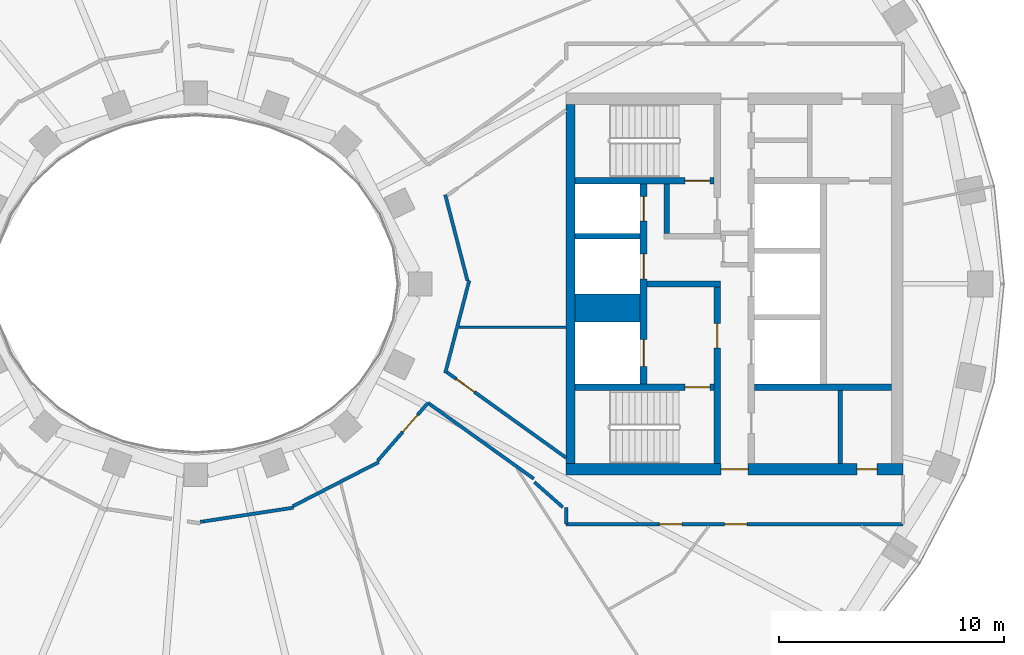
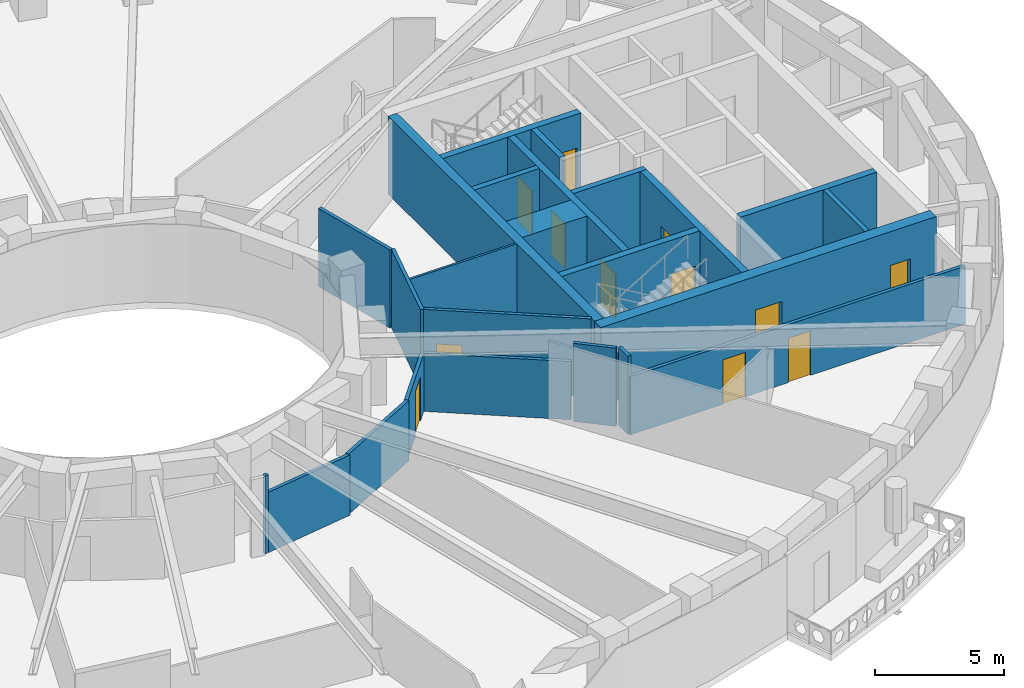
# One storey, part 5 of 15: 24 walls, 12 doors, 12 openings.
"""IFC4 building model written with IfcOpenShell, lengths in metres."""

from ifc_helpers import new_model, si_unit, direction, frame, frame_2d, origin, place, context, subcontext, project, spatial, rectangle, extrude, material, layer, layer_set, type_object, element, fill, save


model = new_model("IFC4")

# Units and contexts
model_context = context("Model", 3, precision=1e-05, world=origin(), true_north=direction((0.0, 1.0)))
body_context = subcontext(model_context, "Body", "Model", "MODEL_VIEW")
ifc_project = project(units=[si_unit("LENGTHUNIT", "METRE"), si_unit("AREAUNIT", "SQUARE_METRE"), si_unit("VOLUMEUNIT", "CUBIC_METRE"), si_unit("PLANEANGLEUNIT", "RADIAN"), si_unit("MASSUNIT", "GRAM", prefix="KILO")], contexts=[model_context])

# Site, building, storey
site_placement = place(None, origin())
site = spatial("IfcSite", under=ifc_project, at=site_placement, CompositionType="ELEMENT")
building_placement = place(site_placement, origin())
building = spatial("IfcBuilding", under=site, at=building_placement, Name="Noorbagh Ring Tower", CompositionType="ELEMENT")
storey_placement = place(building_placement, frame((0.0, 0.0, 182.0)))
storey = spatial("IfcBuildingStorey", under=building, at=storey_placement, Name="L42", CompositionType="ELEMENT", Elevation=182.0)

# Walls
ifc_material_1 = material(Name="Gypsum board on steel studs", Category="steel")
ifc_layer_1 = layer(ifc_material_1, 0.199951171875)
ifc_layer_set_1 = layer_set([ifc_layer_1], Name="Gypsum board on steel studs")
wall_type_1 = type_object("IfcWallType", Name="CORE-PARTITION-200", PredefinedType="PARTITIONING", material=ifc_layer_set_1)
wall_1_placement = place(storey_placement, frame((28.699951171875, -8.0, 0.0), z_axis=(0.0, 0.0, 1.0), x_axis=(0.0, 1.0, 0.0)))
element("IfcWall", 1, at=wall_1_placement, inside=storey, type_object=wall_type_1, Name="Core partition E", PredefinedType="PARTITIONING", context=body_context, shape_type="SweptSolid", body=[
    extrude(rectangle(XDim=3.25, YDim=0.199951171875, at=frame_2d((1.625, 0.0))), origin(), (0.0, 0.0, 1.0), 3.699951171875),
])
ifc_material_2 = material(Name="Concrete C60/75", Category="concrete")
ifc_layer_2 = layer(ifc_material_2, 1.25)
ifc_layer_set_2 = layer_set([ifc_layer_2], Name="Concrete C60/75")
wall_type_2 = type_object("IfcWallType", Name="CORE-WALL-1250-C60-75-EI120", PredefinedType="SHEAR", material=ifc_layer_set_2)
wall_2_placement = place(storey_placement, frame((16.89990234375, -1.074951171875, 0.0), z_axis=(0.0, 0.0, 1.0), x_axis=(1.0, 0.0, 0.0)))
element("IfcWall", 2, at=wall_2_placement, inside=storey, type_object=wall_type_2, Name="Core wall E", PredefinedType="SHEAR", context=body_context, shape_type="SweptSolid", body=[
    extrude(rectangle(XDim=2.900146484375, YDim=1.25, at=frame_2d((1.4501953125, 0.0))), origin(), (0.0, 0.0, 1.0), 3.699951171875),
])
ifc_material_3 = material(Name="Concrete C60/75", Category="concrete")
ifc_layer_3 = layer(ifc_material_3, 0.25)
ifc_layer_set_3 = layer_set([ifc_layer_3], Name="Concrete C60/75")
wall_type_3 = type_object("IfcWallType", Name="CORE-WALL-250-C60-75-EI120", PredefinedType="SHEAR", material=ifc_layer_set_3)
wall_3_placement = place(storey_placement, frame((16.89990234375, 2.125, 0.0), z_axis=(0.0, 0.0, 1.0), x_axis=(1.0, 0.0, 0.0)))
element("IfcWall", 3, at=wall_3_placement, inside=storey, type_object=wall_type_3, Name="Core wall E", PredefinedType="SHEAR", context=body_context, shape_type="SweptSolid", body=[
    extrude(rectangle(XDim=2.900146484375, YDim=0.25, at=frame_2d((1.4501953125, 0.0))), origin(), (0.0, 0.0, 1.0), 3.699951171875),
])
ifc_material_4 = material(Name="Concrete C60/75", Category="concrete")
ifc_layer_4 = layer(ifc_material_4, 0.25)
ifc_layer_set_4 = layer_set([ifc_layer_4], Name="Concrete C60/75")
wall_type_4 = type_object("IfcWallType", Name="CORE-WALL-250-C60-75-EI240", PredefinedType="SHEAR", material=ifc_layer_set_4)
wall_4_placement = place(storey_placement, frame((20.10009765625, 0.0, 0.0), z_axis=(0.0, 0.0, 1.0), x_axis=(1.0, 0.0, 0.0)))
element("IfcWall", 4, at=wall_4_placement, inside=storey, type_object=wall_type_4, Name="Core wall E", PredefinedType="SHEAR", context=body_context, shape_type="SweptSolid", body=[
    extrude(rectangle(XDim=3.27978515625, YDim=0.25, at=frame_2d((1.639892578125, 0.0))), origin(), (0.0, 0.0, 1.0), 3.699951171875),
])
wall_5_placement = place(storey_placement, frame((20.97509765625, 2.25, 0.0), z_axis=(0.0, 0.0, 1.0), x_axis=(0.0, 1.0, 0.0)))
element("IfcWall", 5, at=wall_5_placement, inside=storey, type_object=wall_type_4, Name="Core wall E", PredefinedType="SHEAR", context=body_context, shape_type="SweptSolid", body=[
    extrude(rectangle(XDim=2.199951171875, YDim=0.25, at=frame_2d((1.10009765625, 0.0))), origin(), (0.0, 0.0, 1.0), 3.699951171875),
])

# Wall, openings, doors
ifc_material_5 = material(Name="Concrete C60/75", Category="concrete")
ifc_layer_5 = layer(ifc_material_5, 0.300048828125)
ifc_layer_set_5 = layer_set([ifc_layer_5], Name="Concrete C60/75")
wall_type_5 = type_object("IfcWallType", Name="CORE-WALL-300-C60-75-EI120", PredefinedType="SHEAR", material=ifc_layer_set_5)
wall_6_placement = place(storey_placement, frame((19.949951171875, -4.449951171875, 0.0), z_axis=(0.0, 0.0, 1.0), x_axis=(0.0, 1.0, 0.0)))
wall_6 = element("IfcWall", 6, at=wall_6_placement, inside=storey, type_object=wall_type_5, Name="Core wall E", PredefinedType="SHEAR", context=body_context, shape_type="SweptSolid", body=[
    extrude(rectangle(XDim=8.89990234375, YDim=0.300048828125, at=frame_2d((4.449951171875, 0.0))), origin(), (0.0, 0.0, 1.0), 3.699951171875),
])
opening_1_placement = place(wall_6_placement, frame((0.77490234375, 0.0, 0.0)))
opening_1 = element("IfcOpeningElement", 7, at=opening_1_placement, cuts=wall_6, Name="Opening L42-CE01", PredefinedType="OPENING", context=body_context, shape_type="SweptSolid", body=[
    extrude(rectangle(XDim=1.199951171875, YDim=2.10009765625, at=frame_2d((0.60009765625, 1.050048828125))), frame((0.0, 0.16015625, 0.0), z_axis=(0.0, -1.0, 0.0), x_axis=(1.0, 0.0, 0.0)), (0.0, 0.0, 1.0), 0.320068359375),
])
opening_2_placement = place(wall_6_placement, frame((4.675048828125, 0.0, 0.0)))
opening_2 = element("IfcOpeningElement", 8, at=opening_2_placement, cuts=wall_6, Name="Opening L42-CE02", PredefinedType="OPENING", context=body_context, shape_type="SweptSolid", body=[
    extrude(rectangle(XDim=1.10009765625, YDim=2.10009765625, at=frame_2d((0.550048828125, 1.050048828125))), frame((0.0, 0.16015625, 0.0), z_axis=(0.0, -1.0, 0.0), x_axis=(1.0, 0.0, 0.0)), (0.0, 0.0, 1.0), 0.320068359375),
])
opening_3_placement = place(wall_6_placement, frame((7.25, 0.0, 0.0)))
opening_3 = element("IfcOpeningElement", 9, at=opening_3_placement, cuts=wall_6, Name="Opening L42-CE03", PredefinedType="OPENING", context=body_context, shape_type="SweptSolid", body=[
    extrude(rectangle(XDim=1.10009765625, YDim=2.10009765625, at=frame_2d((0.550048828125, 1.050048828125))), frame((0.0, 0.16015625, 0.0), z_axis=(0.0, -1.0, 0.0), x_axis=(1.0, 0.0, 0.0)), (0.0, 0.0, 1.0), 0.320068359375),
])
ifc_material_6 = material(Name="Steel door leaf", Category="steel")
door_type_1 = type_object("IfcDoorType", Name="CORE-DOOR-LD", OperationType="DOUBLE_DOOR_SLIDING", PredefinedType="DOOR", material=ifc_material_6)
door_1_placement = place(opening_2_placement, origin())
door_1 = element("IfcDoor", 10, at=door_1_placement, inside=storey, type_object=door_type_1, Name="Landing door HR7 L42-CE02", OperationType="DOUBLE_DOOR_SLIDING", OverallHeight=2.10009765625, OverallWidth=1.10009765625, PredefinedType="DOOR", context=body_context, shape_type="SweptSolid", body=[
    extrude(rectangle(XDim=1.10009765625, YDim=2.10009765625, at=frame_2d((0.550048828125, 1.050048828125))), frame((0.0, 0.02490234375, 0.0), z_axis=(0.0, -1.0, 0.0), x_axis=(1.0, 0.0, 0.0)), (0.0, 0.0, 1.0), 0.050048828125),
])
fill(opening_2, door_1)
door_2_placement = place(opening_3_placement, origin())
door_2 = element("IfcDoor", 11, at=door_2_placement, inside=storey, type_object=door_type_1, Name="Landing door HR8 L42-CE03", OperationType="DOUBLE_DOOR_SLIDING", OverallHeight=2.10009765625, OverallWidth=1.10009765625, PredefinedType="DOOR", context=body_context, shape_type="SweptSolid", body=[
    extrude(rectangle(XDim=1.10009765625, YDim=2.10009765625, at=frame_2d((0.550048828125, 1.050048828125))), frame((0.0, 0.02490234375, 0.0), z_axis=(0.0, -1.0, 0.0), x_axis=(1.0, 0.0, 0.0)), (0.0, 0.0, 1.0), 0.050048828125),
])
fill(opening_3, door_2)
ifc_material_7 = material(Name="Steel door leaf", Category="steel")
door_type_2 = type_object("IfcDoorType", Name="CORE-DOOR-LDW", OperationType="DOUBLE_DOOR_SLIDING", PredefinedType="DOOR", material=ifc_material_7)
door_3_placement = place(opening_1_placement, origin())
door_3 = element("IfcDoor", 12, at=door_3_placement, inside=storey, type_object=door_type_2, Name="Landing door FF2 L42-CE01", OperationType="DOUBLE_DOOR_SLIDING", OverallHeight=2.10009765625, OverallWidth=1.199951171875, PredefinedType="DOOR", context=body_context, shape_type="SweptSolid", body=[
    extrude(rectangle(XDim=1.199951171875, YDim=2.10009765625, at=frame_2d((0.60009765625, 1.050048828125))), frame((0.0, 0.02490234375, 0.0), z_axis=(0.0, -1.0, 0.0), x_axis=(1.0, 0.0, 0.0)), (0.0, 0.0, 1.0), 0.050048828125),
])
fill(opening_1, door_3)

# Wall
ifc_material_8 = material(Name="Concrete C60/75", Category="concrete")
ifc_layer_6 = layer(ifc_material_8, 0.300048828125)
ifc_layer_set_6 = layer_set([ifc_layer_6], Name="Concrete C60/75")
wall_type_6 = type_object("IfcWallType", Name="CORE-WALL-300-C60-75-EI240", PredefinedType="SHEAR", material=ifc_layer_set_6)
wall_7_placement = place(storey_placement, frame((24.89990234375, -4.60009765625, 0.0), z_axis=(0.0, 0.0, 1.0), x_axis=(1.0, 0.0, 0.0)))
element("IfcWall", 13, at=wall_7_placement, inside=storey, type_object=wall_type_6, Name="Core wall E", PredefinedType="SHEAR", context=body_context, shape_type="SweptSolid", body=[
    extrude(rectangle(XDim=6.10009765625, YDim=0.300048828125, at=frame_2d((3.050048828125, 0.0))), origin(), (0.0, 0.0, 1.0), 3.699951171875),
])

# Wall, opening, door
wall_8_placement = place(storey_placement, frame((23.22998046875, -8.0, 0.0), z_axis=(0.0, 0.0, 1.0), x_axis=(0.0, 1.0, 0.0)))
wall_8 = element("IfcWall", 14, at=wall_8_placement, inside=storey, type_object=wall_type_6, Name="Core wall E", PredefinedType="SHEAR", context=body_context, shape_type="SweptSolid", body=[
    extrude(rectangle(XDim=7.875, YDim=0.300048828125, at=frame_2d((3.9375, 0.0))), origin(), (0.0, 0.0, 1.0), 3.699951171875),
])
opening_4_placement = place(wall_8_placement, frame((5.14990234375, 0.0, 0.0)))
opening_4 = element("IfcOpeningElement", 15, at=opening_4_placement, cuts=wall_8, Name="Opening L42-CE09", PredefinedType="OPENING", context=body_context, shape_type="SweptSolid", body=[
    extrude(rectangle(XDim=1.10009765625, YDim=2.10009765625, at=frame_2d((0.550048828125, 1.050048828125))), frame((0.0, 0.16015625, 0.0), z_axis=(0.0, -1.0, 0.0), x_axis=(1.0, 0.0, 0.0)), (0.0, 0.0, 1.0), 0.320068359375),
])
ifc_material_9 = material(Name="Steel door leaf", Category="steel")
door_type_3 = type_object("IfcDoorType", Name="CORE-DOOR-DFF", OperationType="SINGLE_SWING_LEFT", PredefinedType="DOOR", material=ifc_material_9)
door_4_placement = place(opening_4_placement, origin())
door_4 = element("IfcDoor", 16, at=door_4_placement, inside=storey, type_object=door_type_3, Name="Firefighting lobby door L42-CE09", OperationType="SINGLE_SWING_RIGHT", OverallHeight=2.10009765625, OverallWidth=1.10009765625, PredefinedType="DOOR", context=body_context, shape_type="SweptSolid", body=[
    extrude(rectangle(XDim=1.10009765625, YDim=2.10009765625, at=frame_2d((0.550048828125, 1.050048828125))), frame((0.0, 0.02490234375, 0.0), z_axis=(0.0, -1.0, 0.0), x_axis=(1.0, 0.0, 0.0)), (0.0, 0.0, 1.0), 0.050048828125),
])
fill(opening_4, door_4)

wall_9_placement = place(storey_placement, frame((16.89990234375, 4.60009765625, 0.0), z_axis=(0.0, 0.0, 1.0), x_axis=(1.0, 0.0, 0.0)))
wall_9 = element("IfcWall", 17, at=wall_9_placement, inside=storey, type_object=wall_type_6, Name="Core wall E", PredefinedType="SHEAR", context=body_context, shape_type="SweptSolid", body=[
    extrude(rectangle(XDim=6.18017578125, YDim=0.300048828125, at=frame_2d((3.090087890625, 0.0))), origin(), (0.0, 0.0, 1.0), 3.699951171875),
])
opening_5_placement = place(wall_9_placement, frame((4.89990234375, 0.0, 0.0)))
opening_5 = element("IfcOpeningElement", 18, at=opening_5_placement, cuts=wall_9, Name="Opening L42-CE07", PredefinedType="OPENING", context=body_context, shape_type="SweptSolid", body=[
    extrude(rectangle(XDim=1.10009765625, YDim=2.10009765625, at=frame_2d((0.550048828125, 1.050048828125))), frame((0.0, 0.16015625, 0.0), z_axis=(0.0, -1.0, 0.0), x_axis=(1.0, 0.0, 0.0)), (0.0, 0.0, 1.0), 0.320068359375),
])
ifc_material_10 = material(Name="Steel door leaf", Category="steel")
door_type_4 = type_object("IfcDoorType", Name="CORE-DOOR-DSTAIR", OperationType="SINGLE_SWING_LEFT", PredefinedType="DOOR", material=ifc_material_10)
door_5_placement = place(opening_5_placement, origin())
door_5 = element("IfcDoor", 19, at=door_5_placement, inside=storey, type_object=door_type_4, Name="Stair door ST3 L42-CE07", OperationType="SINGLE_SWING_LEFT", OverallHeight=2.10009765625, OverallWidth=1.10009765625, PredefinedType="DOOR", context=body_context, shape_type="SweptSolid", body=[
    extrude(rectangle(XDim=1.10009765625, YDim=2.10009765625, at=frame_2d((0.550048828125, 1.050048828125))), frame((0.0, 0.02490234375, 0.0), z_axis=(0.0, -1.0, 0.0), x_axis=(1.0, 0.0, 0.0)), (0.0, 0.0, 1.0), 0.050048828125),
])
fill(opening_5, door_5)

wall_10_placement = place(storey_placement, frame((16.89990234375, -4.60009765625, 0.0), z_axis=(0.0, 0.0, 1.0), x_axis=(1.0, 0.0, 0.0)))
wall_10 = element("IfcWall", 20, at=wall_10_placement, inside=storey, type_object=wall_type_6, Name="Core wall E", PredefinedType="SHEAR", context=body_context, shape_type="SweptSolid", body=[
    extrude(rectangle(XDim=6.18017578125, YDim=0.300048828125, at=frame_2d((3.090087890625, 0.0))), origin(), (0.0, 0.0, 1.0), 3.699951171875),
])
opening_6_placement = place(wall_10_placement, frame((4.89990234375, 0.0, 0.0)))
opening_6 = element("IfcOpeningElement", 21, at=opening_6_placement, cuts=wall_10, Name="Opening L42-CE08", PredefinedType="OPENING", context=body_context, shape_type="SweptSolid", body=[
    extrude(rectangle(XDim=1.10009765625, YDim=2.10009765625, at=frame_2d((0.550048828125, 1.050048828125))), frame((0.0, 0.16015625, 0.0), z_axis=(0.0, -1.0, 0.0), x_axis=(1.0, 0.0, 0.0)), (0.0, 0.0, 1.0), 0.320068359375),
])
door_6_placement = place(opening_6_placement, origin())
door_6 = element("IfcDoor", 22, at=door_6_placement, inside=storey, type_object=door_type_4, Name="Stair door ST4 L42-CE08", OperationType="SINGLE_SWING_RIGHT", OverallHeight=2.10009765625, OverallWidth=1.10009765625, PredefinedType="DOOR", context=body_context, shape_type="SweptSolid", body=[
    extrude(rectangle(XDim=1.10009765625, YDim=2.10009765625, at=frame_2d((0.550048828125, 1.050048828125))), frame((0.0, 0.02490234375, 0.0), z_axis=(0.0, -1.0, 0.0), x_axis=(1.0, 0.0, 0.0)), (0.0, 0.0, 1.0), 0.050048828125),
])
fill(opening_6, door_6)

# Wall
ifc_material_11 = material(Name="Concrete C60/75", Category="concrete")
ifc_layer_7 = layer(ifc_material_11, 0.39990234375)
ifc_layer_set_7 = layer_set([ifc_layer_7], Name="Concrete C60/75")
wall_type_7 = type_object("IfcWallType", Name="CORE-WALL-400-C60-75-EI240", PredefinedType="SHEAR", material=ifc_layer_set_7)
wall_11_placement = place(storey_placement, frame((16.699951171875, -8.0, 0.0), z_axis=(0.0, 0.0, 1.0), x_axis=(0.0, 1.0, 0.0)))
element("IfcWall", 23, at=wall_11_placement, inside=storey, type_object=wall_type_7, Name="Core wall E", PredefinedType="SHEAR", context=body_context, shape_type="SweptSolid", body=[
    extrude(rectangle(XDim=16.0, YDim=0.39990234375, at=frame_2d((8.0, 0.0))), origin(), (0.0, 0.0, 1.0), 3.699951171875),
])

# Wall, openings, doors
ifc_material_12 = material(Name="Concrete C60/75", Category="concrete")
ifc_layer_8 = layer(ifc_material_12, 0.5)
ifc_layer_set_8 = layer_set([ifc_layer_8], Name="Concrete C60/75")
wall_type_8 = type_object("IfcWallType", Name="CORE-WALL-500-C60-75-EI240", PredefinedType="SHEAR", material=ifc_layer_set_8)
wall_12_placement = place(storey_placement, frame((16.5, -8.25, 0.0), z_axis=(0.0, 0.0, 1.0), x_axis=(1.0, 0.0, 0.0)))
wall_12 = element("IfcWall", 24, at=wall_12_placement, inside=storey, type_object=wall_type_8, Name="Core wall E", PredefinedType="SHEAR", context=body_context, shape_type="SweptSolid", body=[
    extrude(rectangle(XDim=15.0, YDim=0.5, at=frame_2d((7.5, 0.0))), origin(), (0.0, 0.0, 1.0), 3.699951171875),
])
opening_7_placement = place(wall_12_placement, frame((6.89990234375, 0.0, 0.0)))
opening_7 = element("IfcOpeningElement", 25, at=opening_7_placement, cuts=wall_12, Name="Opening L42-CE12", PredefinedType="OPENING", context=body_context, shape_type="SweptSolid", body=[
    extrude(rectangle(XDim=1.199951171875, YDim=2.10009765625, at=frame_2d((0.60009765625, 1.050048828125))), frame((0.0, 0.260009765625, 0.0), z_axis=(0.0, -1.0, 0.0), x_axis=(1.0, 0.0, 0.0)), (0.0, 0.0, 1.0), 0.52001953125),
])
opening_8_placement = place(wall_12_placement, frame((12.949951171875, 0.0, 0.0)))
opening_8 = element("IfcOpeningElement", 26, at=opening_8_placement, cuts=wall_12, Name="Opening L42-CE17", PredefinedType="OPENING", context=body_context, shape_type="SweptSolid", body=[
    extrude(rectangle(XDim=0.89990234375, YDim=2.10009765625, at=frame_2d((0.449951171875, 1.050048828125))), frame((0.0, 0.260009765625, 0.0), z_axis=(0.0, -1.0, 0.0), x_axis=(1.0, 0.0, 0.0)), (0.0, 0.0, 1.0), 0.52001953125),
])
ifc_material_13 = material(Name="Steel door leaf", Category="steel")
door_type_5 = type_object("IfcDoorType", Name="CORE-DOOR-DROOM", OperationType="SINGLE_SWING_LEFT", PredefinedType="DOOR", material=ifc_material_13)
door_7_placement = place(opening_8_placement, origin())
door_7 = element("IfcDoor", 27, at=door_7_placement, inside=storey, type_object=door_type_5, Name="Core room door L42-CE17", OperationType="SINGLE_SWING_RIGHT", OverallHeight=2.10009765625, OverallWidth=0.89990234375, PredefinedType="DOOR", context=body_context, shape_type="SweptSolid", body=[
    extrude(rectangle(XDim=0.89990234375, YDim=2.10009765625, at=frame_2d((0.449951171875, 1.050048828125))), frame((0.0, 0.02490234375, 0.0), z_axis=(0.0, -1.0, 0.0), x_axis=(1.0, 0.0, 0.0)), (0.0, 0.0, 1.0), 0.050048828125),
])
fill(opening_8, door_7)
ifc_material_14 = material(Name="Steel door leaf", Category="steel")
door_type_6 = type_object("IfcDoorType", Name="CORE-DOOR-PORT", OperationType="DOUBLE_DOOR_DOUBLE_SWING", PredefinedType="DOOR", material=ifc_material_14)
door_8_placement = place(opening_7_placement, origin())
door_8 = element("IfcDoor", 28, at=door_8_placement, inside=storey, type_object=door_type_6, Name="Core entrance door L42-CE12", OperationType="DOUBLE_DOOR_DOUBLE_SWING", OverallHeight=2.10009765625, OverallWidth=1.199951171875, PredefinedType="DOOR", context=body_context, shape_type="SweptSolid", body=[
    extrude(rectangle(XDim=1.199951171875, YDim=2.10009765625, at=frame_2d((0.60009765625, 1.050048828125))), frame((0.0, 0.02490234375, 0.0), z_axis=(0.0, -1.0, 0.0), x_axis=(1.0, 0.0, 0.0)), (0.0, 0.0, 1.0), 0.050048828125),
])
fill(opening_7, door_8)

# Walls
ifc_material_15 = material(Name="Gypsum board on steel studs", Category="steel")
ifc_layer_9 = layer(ifc_material_15, 0.14990234375)
ifc_layer_set_9 = layer_set([ifc_layer_9], Name="Gypsum board on steel studs")
wall_type_9 = type_object("IfcWallType", Name="CORRIDOR PARTITION 150 EI 30", PredefinedType="PARTITIONING", material=ifc_layer_set_9)
wall_13_placement = place(storey_placement, frame((0.2119140625, -10.595947265625, 0.0), z_axis=(0.0, 0.0, 1.0), x_axis=(0.988519881913, 0.15109084374, 0.0)))
element("IfcWall", 29, at=wall_13_placement, inside=storey, type_object=wall_type_9, Name="L42/wall/P45", PredefinedType="PARTITIONING", context=body_context, shape_type="SweptSolid", body=[
    extrude(rectangle(XDim=0.15185546875, YDim=0.14990234375, at=frame_2d((0.075927734375, 0.0))), origin(), (0.0, 0.0, 1.0), 3.699951171875),
])
wall_14_placement = place(storey_placement, frame((0.26904296875, -10.5869140625, 0.0), z_axis=(0.0, 0.0, 1.0), x_axis=(0.988518620478, 0.151099096514, 0.0)))
element("IfcWall", 30, at=wall_14_placement, inside=storey, type_object=wall_type_9, Name="L42/wall/P47", PredefinedType="PARTITIONING", context=body_context, shape_type="SweptSolid", body=[
    extrude(rectangle(XDim=4.136474609375, YDim=0.14990234375, at=frame_2d((2.068359375, 0.0))), origin(), (0.0, 0.0, 1.0), 2.85009765625),
])
wall_15_placement = place(storey_placement, frame((4.3369140625, -9.89599609375, 0.0), z_axis=(0.0, 0.0, 1.0), x_axis=(0.889382211946, 0.457164391739, 0.0)))
element("IfcWall", 31, at=wall_15_placement, inside=storey, type_object=wall_type_9, Name="L42/wall/P49", PredefinedType="PARTITIONING", context=body_context, shape_type="SweptSolid", body=[
    extrude(rectangle(XDim=4.29638671875, YDim=0.14990234375, at=frame_2d((2.148193359375, 0.0))), origin(), (0.0, 0.0, 1.0), 2.85009765625),
])

# Wall, opening, door
wall_16_placement = place(storey_placement, frame((8.111083984375, -7.87109375, 0.0), z_axis=(0.0, 0.0, 1.0), x_axis=(0.656293818527, 0.754505416656, 0.0)))
wall_16 = element("IfcWall", 32, at=wall_16_placement, inside=storey, type_object=wall_type_9, Name="L42/wall/P53", PredefinedType="PARTITIONING", context=body_context, shape_type="SweptSolid", body=[
    extrude(rectangle(XDim=3.4130859375, YDim=0.14990234375, at=frame_2d((1.70654296875, 0.0))), origin(), (0.0, 0.0, 1.0), 2.75),
])
opening_9_placement = place(wall_16_placement, frame((1.697265625, 0.0, 0.0)))
opening_9 = element("IfcOpeningElement", 33, at=opening_9_placement, cuts=wall_16, Name="Opening D1", PredefinedType="OPENING", context=body_context, shape_type="SweptSolid", body=[
    extrude(rectangle(XDim=1.0, YDim=2.10009765625, at=frame_2d((0.5, 1.050048828125))), frame((0.0, 0.0849609375, 0.0), z_axis=(0.0, -1.0, 0.0), x_axis=(1.0, 0.0, 0.0)), (0.0, 0.0, 1.0), 0.169921875),
])
ifc_material_16 = material(Name="Timber, painted", Category="wood")
door_type_7 = type_object("IfcDoorType", Name="DOOR 1000 X 2100 FD30", OperationType="SINGLE_SWING_LEFT", PredefinedType="DOOR", material=ifc_material_16)
door_9_placement = place(opening_9_placement, origin())
door_9 = element("IfcDoor", 34, at=door_9_placement, inside=storey, type_object=door_type_7, Name="L42-D10", OperationType="SINGLE_SWING_RIGHT", OverallHeight=2.10009765625, OverallWidth=1.0, PredefinedType="DOOR", context=body_context, shape_type="SweptSolid", body=[
    extrude(rectangle(XDim=1.0, YDim=2.10009765625, at=frame_2d((0.5, 1.050048828125))), frame((0.0, 0.02490234375, 0.0), z_axis=(0.0, -1.0, 0.0), x_axis=(1.0, 0.0, 0.0)), (0.0, 0.0, 1.0), 0.050048828125),
])
fill(opening_9, door_9)

# Walls
wall_17_placement = place(storey_placement, frame((10.35107421875, -5.2958984375, 0.0), z_axis=(0.0, 0.0, 1.0), x_axis=(0.812494026232, -0.582969516645, 0.0)))
element("IfcWall", 35, at=wall_17_placement, inside=storey, type_object=wall_type_9, Name="L42/wall/P55", PredefinedType="PARTITIONING", context=body_context, shape_type="SweptSolid", body=[
    extrude(rectangle(XDim=5.798095703125, YDim=0.14990234375, at=frame_2d((2.89892578125, 0.0))), origin(), (0.0, 0.0, 1.0), 2.75),
])
wall_18_placement = place(storey_placement, frame((11.117919921875, -3.968994140625, 0.0), z_axis=(0.0, 0.0, 1.0), x_axis=(0.250802851702, 0.968038186012, 0.0)))
element("IfcWall", 36, at=wall_18_placement, inside=storey, type_object=wall_type_9, Name="L42/wall/P57", PredefinedType="PARTITIONING", context=body_context, shape_type="SweptSolid", body=[
    extrude(rectangle(XDim=4.2548828125, YDim=0.14990234375, at=frame_2d((2.12744140625, 0.0))), origin(), (0.0, 0.0, 1.0), 3.699951171875),
])

# Wall, opening, door
wall_19_placement = place(storey_placement, frame((11.202880859375, -3.93798828125, 0.0), z_axis=(0.0, 0.0, 1.0), x_axis=(0.812471543061, -0.583000850528, 0.0)))
wall_19 = element("IfcWall", 37, at=wall_19_placement, inside=storey, type_object=wall_type_9, Name="L42/wall/P58", PredefinedType="PARTITIONING", context=body_context, shape_type="SweptSolid", body=[
    extrude(rectangle(XDim=6.519775390625, YDim=0.14990234375, at=frame_2d((3.259765625, 0.0))), origin(), (0.0, 0.0, 1.0), 3.699951171875),
])
opening_10_placement = place(wall_19_placement, frame((0.50048828125, 0.0, 0.0)))
opening_10 = element("IfcOpeningElement", 38, at=opening_10_placement, cuts=wall_19, Name="Opening D1", PredefinedType="OPENING", context=body_context, shape_type="SweptSolid", body=[
    extrude(rectangle(XDim=1.0, YDim=2.10009765625, at=frame_2d((0.5, 1.050048828125))), frame((0.0, 0.0849609375, 0.0), z_axis=(0.0, -1.0, 0.0), x_axis=(1.0, 0.0, 0.0)), (0.0, 0.0, 1.0), 0.169921875),
])
door_10_placement = place(opening_10_placement, origin())
door_10 = element("IfcDoor", 39, at=door_10_placement, inside=storey, type_object=door_type_7, Name="L42-D18", OperationType="SINGLE_SWING_RIGHT", OverallHeight=2.10009765625, OverallWidth=1.0, PredefinedType="DOOR", context=body_context, shape_type="SweptSolid", body=[
    extrude(rectangle(XDim=1.0, YDim=2.10009765625, at=frame_2d((0.5, 1.050048828125))), frame((0.0, 0.02490234375, 0.0), z_axis=(0.0, -1.0, 0.0), x_axis=(1.0, 0.0, 0.0)), (0.0, 0.0, 1.0), 0.050048828125),
])
fill(opening_10, door_10)

# Walls
wall_20_placement = place(storey_placement, frame((11.117919921875, 3.968994140625, 0.0), z_axis=(0.0, 0.0, 1.0), x_axis=(0.250695837289, -0.968065905384, 0.0)))
element("IfcWall", 40, at=wall_20_placement, inside=storey, type_object=wall_type_9, Name="L42/wall/P59", PredefinedType="PARTITIONING", context=body_context, shape_type="SweptSolid", body=[
    extrude(rectangle(XDim=3.945068359375, YDim=0.14990234375, at=frame_2d((1.97265625, 0.0))), origin(), (0.0, 0.0, 1.0), 3.699951171875),
])
wall_21_placement = place(storey_placement, frame((16.5, -10.699951171875, 0.0), z_axis=(0.0, 0.0, 1.0), x_axis=(0.0, 1.0, 0.0)))
element("IfcWall", 41, at=wall_21_placement, inside=storey, type_object=wall_type_9, Name="L42/wall/P63", PredefinedType="PARTITIONING", context=body_context, shape_type="SweptSolid", body=[
    extrude(rectangle(XDim=0.73583984375, YDim=0.14990234375, at=frame_2d((0.367919921875, 0.0))), origin(), (0.0, 0.0, 1.0), 3.699951171875),
])

# Wall, openings, doors
wall_22_placement = place(storey_placement, frame((16.5, -10.699951171875, 0.0), z_axis=(0.0, 0.0, 1.0), x_axis=(1.0, 0.0, 0.0)))
wall_22 = element("IfcWall", 42, at=wall_22_placement, inside=storey, type_object=wall_type_9, Name="L42/wall/P64", PredefinedType="PARTITIONING", context=body_context, shape_type="SweptSolid", body=[
    extrude(rectangle(XDim=15.0, YDim=0.14990234375, at=frame_2d((7.5, 0.0))), origin(), (0.0, 0.0, 1.0), 2.75),
])
opening_11_placement = place(wall_22_placement, frame((4.14990234375, 0.0, 0.0)))
opening_11 = element("IfcOpeningElement", 43, at=opening_11_placement, cuts=wall_22, Name="Opening D1", PredefinedType="OPENING", context=body_context, shape_type="SweptSolid", body=[
    extrude(rectangle(XDim=1.0, YDim=2.10009765625, at=frame_2d((0.5, 1.050048828125))), frame((0.0, 0.0849609375, 0.0), z_axis=(0.0, -1.0, 0.0), x_axis=(1.0, 0.0, 0.0)), (0.0, 0.0, 1.0), 0.169921875),
])
opening_12_placement = place(wall_22_placement, frame((7.06103515625, 0.0, 0.0)))
opening_12 = element("IfcOpeningElement", 44, at=opening_12_placement, cuts=wall_22, Name="Opening D1", PredefinedType="OPENING", context=body_context, shape_type="SweptSolid", body=[
    extrude(rectangle(XDim=1.0, YDim=2.10009765625, at=frame_2d((0.5, 1.050048828125))), frame((0.0, 0.0849609375, 0.0), z_axis=(0.0, -1.0, 0.0), x_axis=(1.0, 0.0, 0.0)), (0.0, 0.0, 1.0), 0.169921875),
])
door_11_placement = place(opening_11_placement, origin())
door_11 = element("IfcDoor", 45, at=door_11_placement, inside=storey, type_object=door_type_7, Name="L42-D12", OperationType="SINGLE_SWING_RIGHT", OverallHeight=2.10009765625, OverallWidth=1.0, PredefinedType="DOOR", context=body_context, shape_type="SweptSolid", body=[
    extrude(rectangle(XDim=1.0, YDim=2.10009765625, at=frame_2d((0.5, 1.050048828125))), frame((0.0, 0.02490234375, 0.0), z_axis=(0.0, -1.0, 0.0), x_axis=(1.0, 0.0, 0.0)), (0.0, 0.0, 1.0), 0.050048828125),
])
fill(opening_11, door_11)
door_12_placement = place(opening_12_placement, origin())
door_12 = element("IfcDoor", 46, at=door_12_placement, inside=storey, type_object=door_type_7, Name="L42-D13", OperationType="SINGLE_SWING_LEFT", OverallHeight=2.10009765625, OverallWidth=1.0, PredefinedType="DOOR", context=body_context, shape_type="SweptSolid", body=[
    extrude(rectangle(XDim=1.0, YDim=2.10009765625, at=frame_2d((0.5, 1.050048828125))), frame((0.0, 0.02490234375, 0.0), z_axis=(0.0, -1.0, 0.0), x_axis=(1.0, 0.0, 0.0)), (0.0, 0.0, 1.0), 0.050048828125),
])
fill(opening_12, door_12)

# Walls
wall_23_placement = place(storey_placement, frame((16.35205078125, -9.94189453125, 0.0), z_axis=(0.0, 0.0, 1.0), x_axis=(-0.749107006374, 0.662449011624, 0.0)))
element("IfcWall", 47, at=wall_23_placement, inside=storey, type_object=wall_type_9, Name="L42/wall/P78", PredefinedType="PARTITIONING", context=body_context, shape_type="SweptSolid", body=[
    extrude(rectangle(XDim=1.6875, YDim=0.14990234375, at=frame_2d((0.84375, 0.0))), origin(), (0.0, 0.0, 1.0), 3.699951171875),
])
ifc_material_17 = material(Name="Gypsum board on steel studs", Category="steel")
ifc_layer_10 = layer(ifc_material_17, 0.10009765625)
ifc_layer_set_10 = layer_set([ifc_layer_10], Name="Gypsum board on steel studs")
wall_type_10 = type_object("IfcWallType", Name="PARTITION 100 GYPSUM", PredefinedType="PARTITIONING", material=ifc_layer_set_10)
wall_24_placement = place(storey_placement, frame((11.72705078125, -1.927978515625, 0.0), z_axis=(0.0, 0.0, 1.0), x_axis=(1.0, 0.0, 0.0)))
element("IfcWall", 48, at=wall_24_placement, inside=storey, type_object=wall_type_10, Name="L42/wall/P61", PredefinedType="PARTITIONING", context=body_context, shape_type="SweptSolid", body=[
    extrude(rectangle(XDim=4.77294921875, YDim=0.10009765625, at=frame_2d((2.386474609375, 0.0))), origin(), (0.0, 0.0, 1.0), 3.699951171875),
])

save(model, "model.ifc")
